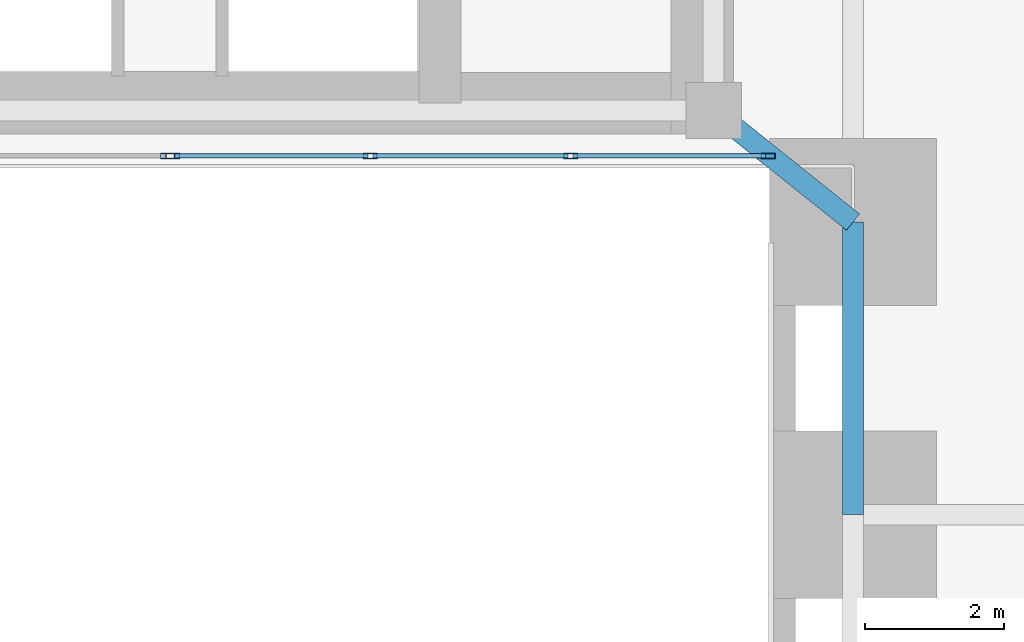
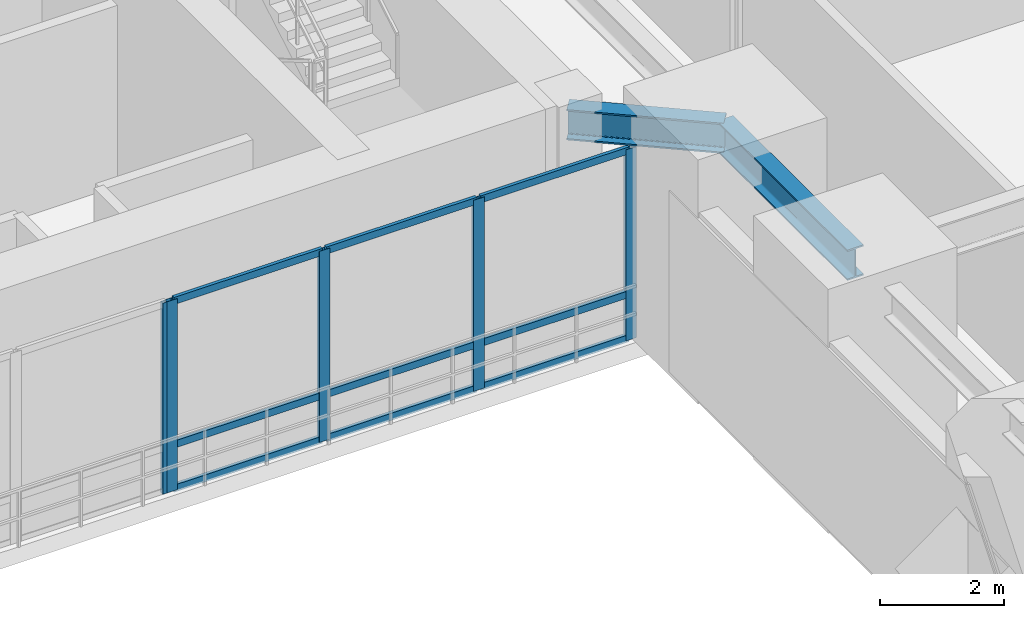
# One storey, part 4 of 14: 14 members, 2 beams, 2 elements without a shape of their own.
"""IFC4 building model written with IfcOpenShell, lengths in metres."""

from ifc_helpers import new_model, si_unit, direction, frame, origin, origin_2d, place, context, subcontext, project, spatial, hollow_rectangle, i_section, extrude, material, layer, layer_set, material_profile, profile_set, type_object, element, aggregate, save


model = new_model("IFC4")

# Units and contexts
model_context = context("Model", 3, precision=1e-05, world=origin(), true_north=direction((0.0, 1.0)))
body_context = subcontext(model_context, "Body", "Model", "MODEL_VIEW")
ifc_project = project(units=[si_unit("LENGTHUNIT", "METRE"), si_unit("AREAUNIT", "SQUARE_METRE"), si_unit("VOLUMEUNIT", "CUBIC_METRE"), si_unit("PLANEANGLEUNIT", "RADIAN"), si_unit("MASSUNIT", "GRAM", prefix="KILO"), si_unit("THERMODYNAMICTEMPERATUREUNIT", "KELVIN"), si_unit("POWERUNIT", "WATT")], contexts=[model_context])

# Site, building, storey
site_placement = place(None, origin())
site = spatial("IfcSite", under=ifc_project, at=site_placement, CompositionType="ELEMENT")
building_placement = place(site_placement, origin())
building = spatial("IfcBuilding", under=site, at=building_placement, Name="Ocrelia Relay Tower", CompositionType="ELEMENT")
storey_placement = place(building_placement, frame((0.0, 0.0, 5.39990234375)))
storey = spatial("IfcBuildingStorey", under=building, at=storey_placement, Name="L01", CompositionType="ELEMENT", Elevation=5.39990234375)

# Beams
ifc_material_1 = material(Name="Steel S355", Category="steel")
ifc_material_profile_1 = material_profile(ifc_material_1, i_section(OverallWidth=0.300048828125, OverallDepth=0.60009765625, WebThickness=0.015380859375, FlangeThickness=0.030029296875, FilletRadius=0.027099609375, at=origin_2d()), Name="HEB 600")
ifc_profile_set_1 = profile_set([ifc_material_profile_1], Name="Steel S355")
beam_type = type_object("IfcBeamType", Name="BM-HEB600", PredefinedType="BEAM", material=ifc_profile_set_1)
beam_1_placement = place(storey_placement, frame((43.800048828125, 14.199951171875, 4.18017578125), z_axis=(0.0, 1.0, 0.0), x_axis=(-1.0, 0.0, 0.0)))
element("IfcBeam", 1, at=beam_1_placement, inside=storey, type_object=beam_type, Name="L01 Pier Line Tie Girder AE-3", PredefinedType="BEAM", context=body_context, shape_type="SweptSolid", body=[
    extrude(i_section(OverallWidth=0.300048828125, OverallDepth=0.60009765625, WebThickness=0.015380859375, FlangeThickness=0.030029296875, FilletRadius=0.027099609375, at=origin_2d()), origin(), (0.0, 0.0, 1.0), 4.199951171875),
])
beam_2_placement = place(storey_placement, frame((43.800048828125, 18.39990234375, 4.18017578125), z_axis=(-0.78085021034, 0.624718295724, 0.0), x_axis=(-0.624718295724, -0.78085021034, 0.0)))
element("IfcBeam", 2, at=beam_2_placement, inside=storey, type_object=beam_type, Name="L01 Core Pilaster Link Girder AES", PredefinedType="BEAM", context=body_context, shape_type="SweptSolid", body=[
    extrude(i_section(OverallWidth=0.300048828125, OverallDepth=0.60009765625, WebThickness=0.015380859375, FlangeThickness=0.030029296875, FilletRadius=0.027099609375, at=origin_2d()), origin(), (0.0, 0.0, 1.0), 2.561279296875),
])

# Curtain wall, member
ifc_material_2 = material(Name="Aluminium and solar-control low-E glass", Category="aluminium")
ifc_layer = layer(ifc_material_2, 0.179931640625, Name="Aluminium and solar-control low-E glass")
ifc_layer_set = layer_set([ifc_layer], Name="Aluminium and solar-control low-E glass")
curtain_wall_type = type_object("IfcCurtainWallType", Name="CW-SYS-POD-ARCH", PredefinedType="NOTDEFINED", material=ifc_layer_set)
curtain_wall_1_placement = place(storey_placement, origin())
curtain_wall_1 = element("IfcCurtainWall", 3, at=curtain_wall_1_placement, inside=storey, type_object=curtain_wall_type, Name="L01 South Portal Atrium Glazed Screen West", PredefinedType="NOTDEFINED")
ifc_material_3 = material(Name="Anodised bronze aluminium", Category="aluminium")
ifc_material_profile_2 = material_profile(ifc_material_3, hollow_rectangle(XDim=0.074951171875, YDim=0.199951171875, WallThickness=0.006103515625, at=origin_2d()), Name="CW-MUL-200x75")
ifc_profile_set_2 = profile_set([ifc_material_profile_2], Name="Anodised bronze aluminium")
member_type_1 = type_object("IfcMemberType", Name="CW-SYS-POD-ARCH-MUL", PredefinedType="MULLION", material=ifc_profile_set_2)
member_1_placement = place(storey_placement, frame((33.96240234375, 19.35009765625, 0.0), z_axis=(0.0, 0.0, 1.0), x_axis=(0.0, 1.0, 0.0)))
member_1 = element("IfcMember", 4, at=member_1_placement, type_object=member_type_1, Name="CW-PA mullion 4", PredefinedType="MULLION", context=body_context, shape_type="SweptSolid", body=[
    extrude(hollow_rectangle(XDim=0.074951171875, YDim=0.199951171875, WallThickness=0.006103515625, at=origin_2d()), origin(), (0.0, 0.0, 1.0), 3.760009765625),
])
aggregate(curtain_wall_1, [member_1])

# Curtain wall, members
curtain_wall_2_placement = place(storey_placement, origin())
curtain_wall_2 = element("IfcCurtainWall", 5, at=curtain_wall_2_placement, inside=storey, type_object=curtain_wall_type, Name="L01 South Portal Atrium Glazed Screen East", PredefinedType="NOTDEFINED")
member_2_placement = place(storey_placement, frame((34.03759765625, 19.35009765625, 0.0), z_axis=(0.0, 0.0, 1.0), x_axis=(0.0, 1.0, 0.0)))
member_2 = element("IfcMember", 6, at=member_2_placement, type_object=member_type_1, Name="CW-PA mullion 1", PredefinedType="MULLION", context=body_context, shape_type="SweptSolid", body=[
    extrude(hollow_rectangle(XDim=0.074951171875, YDim=0.199951171875, WallThickness=0.006103515625, at=origin_2d()), origin(), (0.0, 0.0, 1.0), 3.760009765625),
])
member_3_placement = place(storey_placement, frame((36.873291015625, 19.35009765625, 0.0), z_axis=(0.0, 0.0, 1.0), x_axis=(0.0, 1.0, 0.0)))
member_3 = element("IfcMember", 7, at=member_3_placement, type_object=member_type_1, Name="CW-PA mullion 2", PredefinedType="MULLION", context=body_context, shape_type="SweptSolid", body=[
    extrude(hollow_rectangle(XDim=0.074951171875, YDim=0.199951171875, WallThickness=0.006103515625, at=origin_2d()), origin(), (0.0, 0.0, 1.0), 3.760009765625),
])
member_4_placement = place(storey_placement, frame((39.74658203125, 19.35009765625, 0.0), z_axis=(0.0, 0.0, 1.0), x_axis=(0.0, 1.0, 0.0)))
member_4 = element("IfcMember", 8, at=member_4_placement, type_object=member_type_1, Name="CW-PA mullion 3", PredefinedType="MULLION", context=body_context, shape_type="SweptSolid", body=[
    extrude(hollow_rectangle(XDim=0.074951171875, YDim=0.199951171875, WallThickness=0.006103515625, at=origin_2d()), origin(), (0.0, 0.0, 1.0), 3.760009765625),
])
member_5_placement = place(storey_placement, frame((42.58251953125, 19.35009765625, 0.0), z_axis=(0.0, 0.0, 1.0), x_axis=(0.0, 1.0, 0.0)))
member_5 = element("IfcMember", 9, at=member_5_placement, type_object=member_type_1, Name="CW-PA mullion 4", PredefinedType="MULLION", context=body_context, shape_type="SweptSolid", body=[
    extrude(hollow_rectangle(XDim=0.074951171875, YDim=0.199951171875, WallThickness=0.006103515625, at=origin_2d()), origin(), (0.0, 0.0, 1.0), 3.760009765625),
])
ifc_material_profile_3 = material_profile(ifc_material_3, hollow_rectangle(XDim=0.06494140625, YDim=0.139892578125, WallThickness=0.0048828125, at=origin_2d()), Name="CW-TRN-140x65")
ifc_profile_set_3 = profile_set([ifc_material_profile_3], Name="Anodised bronze aluminium")
member_type_2 = type_object("IfcMemberType", Name="CW-SYS-POD-ARCH-TRN", PredefinedType="USERDEFINED", material=ifc_profile_set_3)
member_6_placement = place(storey_placement, frame((34.074951171875, 19.35009765625, 0.03271484375), z_axis=(1.0, 0.0, 0.0), x_axis=(0.0, 1.0, 0.0)))
member_6 = element("IfcMember", 10, at=member_6_placement, type_object=member_type_2, Name="CW-PA transom 1.1", ObjectType="TRANSOM", PredefinedType="USERDEFINED", context=body_context, shape_type="SweptSolid", body=[
    extrude(hollow_rectangle(XDim=0.06494140625, YDim=0.139892578125, WallThickness=0.0048828125, at=origin_2d()), origin(), (0.0, 0.0, 1.0), 2.760986328125),
])
member_7_placement = place(storey_placement, frame((34.074951171875, 19.35009765625, 0.900146484375), z_axis=(1.0, 0.0, 0.0), x_axis=(0.0, 1.0, 0.0)))
member_7 = element("IfcMember", 11, at=member_7_placement, type_object=member_type_2, Name="CW-PA transom 1.2", ObjectType="TRANSOM", PredefinedType="USERDEFINED", context=body_context, shape_type="SweptSolid", body=[
    extrude(hollow_rectangle(XDim=0.06494140625, YDim=0.139892578125, WallThickness=0.0048828125, at=origin_2d()), origin(), (0.0, 0.0, 1.0), 2.760986328125),
])
member_8_placement = place(storey_placement, frame((34.074951171875, 19.35009765625, 3.7275390625), z_axis=(1.0, 0.0, 0.0), x_axis=(0.0, 1.0, 0.0)))
member_8 = element("IfcMember", 12, at=member_8_placement, type_object=member_type_2, Name="CW-PA transom 1.3", ObjectType="TRANSOM", PredefinedType="USERDEFINED", context=body_context, shape_type="SweptSolid", body=[
    extrude(hollow_rectangle(XDim=0.06494140625, YDim=0.139892578125, WallThickness=0.0048828125, at=origin_2d()), origin(), (0.0, 0.0, 1.0), 2.760986328125),
])
member_9_placement = place(storey_placement, frame((36.910888671875, 19.35009765625, 0.03271484375), z_axis=(1.0, 0.0, 0.0), x_axis=(0.0, 1.0, 0.0)))
member_9 = element("IfcMember", 13, at=member_9_placement, type_object=member_type_2, Name="CW-PA transom 2.1", ObjectType="TRANSOM", PredefinedType="USERDEFINED", context=body_context, shape_type="SweptSolid", body=[
    extrude(hollow_rectangle(XDim=0.06494140625, YDim=0.139892578125, WallThickness=0.0048828125, at=origin_2d()), origin(), (0.0, 0.0, 1.0), 2.79833984375),
])
member_10_placement = place(storey_placement, frame((36.910888671875, 19.35009765625, 0.900146484375), z_axis=(1.0, 0.0, 0.0), x_axis=(0.0, 1.0, 0.0)))
member_10 = element("IfcMember", 14, at=member_10_placement, type_object=member_type_2, Name="CW-PA transom 2.2", ObjectType="TRANSOM", PredefinedType="USERDEFINED", context=body_context, shape_type="SweptSolid", body=[
    extrude(hollow_rectangle(XDim=0.06494140625, YDim=0.139892578125, WallThickness=0.0048828125, at=origin_2d()), origin(), (0.0, 0.0, 1.0), 2.79833984375),
])
member_11_placement = place(storey_placement, frame((36.910888671875, 19.35009765625, 3.7275390625), z_axis=(1.0, 0.0, 0.0), x_axis=(0.0, 1.0, 0.0)))
member_11 = element("IfcMember", 15, at=member_11_placement, type_object=member_type_2, Name="CW-PA transom 2.3", ObjectType="TRANSOM", PredefinedType="USERDEFINED", context=body_context, shape_type="SweptSolid", body=[
    extrude(hollow_rectangle(XDim=0.06494140625, YDim=0.139892578125, WallThickness=0.0048828125, at=origin_2d()), origin(), (0.0, 0.0, 1.0), 2.79833984375),
])
member_12_placement = place(storey_placement, frame((39.7841796875, 19.35009765625, 0.03271484375), z_axis=(1.0, 0.0, 0.0), x_axis=(0.0, 1.0, 0.0)))
member_12 = element("IfcMember", 16, at=member_12_placement, type_object=member_type_2, Name="CW-PA transom 3.1", ObjectType="TRANSOM", PredefinedType="USERDEFINED", context=body_context, shape_type="SweptSolid", body=[
    extrude(hollow_rectangle(XDim=0.06494140625, YDim=0.139892578125, WallThickness=0.0048828125, at=origin_2d()), origin(), (0.0, 0.0, 1.0), 2.7607421875),
])
member_13_placement = place(storey_placement, frame((39.7841796875, 19.35009765625, 0.900146484375), z_axis=(1.0, 0.0, 0.0), x_axis=(0.0, 1.0, 0.0)))
member_13 = element("IfcMember", 17, at=member_13_placement, type_object=member_type_2, Name="CW-PA transom 3.2", ObjectType="TRANSOM", PredefinedType="USERDEFINED", context=body_context, shape_type="SweptSolid", body=[
    extrude(hollow_rectangle(XDim=0.06494140625, YDim=0.139892578125, WallThickness=0.0048828125, at=origin_2d()), origin(), (0.0, 0.0, 1.0), 2.7607421875),
])
member_14_placement = place(storey_placement, frame((39.7841796875, 19.35009765625, 3.7275390625), z_axis=(1.0, 0.0, 0.0), x_axis=(0.0, 1.0, 0.0)))
member_14 = element("IfcMember", 18, at=member_14_placement, type_object=member_type_2, Name="CW-PA transom 3.3", ObjectType="TRANSOM", PredefinedType="USERDEFINED", context=body_context, shape_type="SweptSolid", body=[
    extrude(hollow_rectangle(XDim=0.06494140625, YDim=0.139892578125, WallThickness=0.0048828125, at=origin_2d()), origin(), (0.0, 0.0, 1.0), 2.7607421875),
])
aggregate(curtain_wall_2, [member_2, member_3, member_4, member_5, member_6, member_7, member_8, member_9, member_10, member_11, member_12, member_13, member_14])

save(model, "model.ifc")
